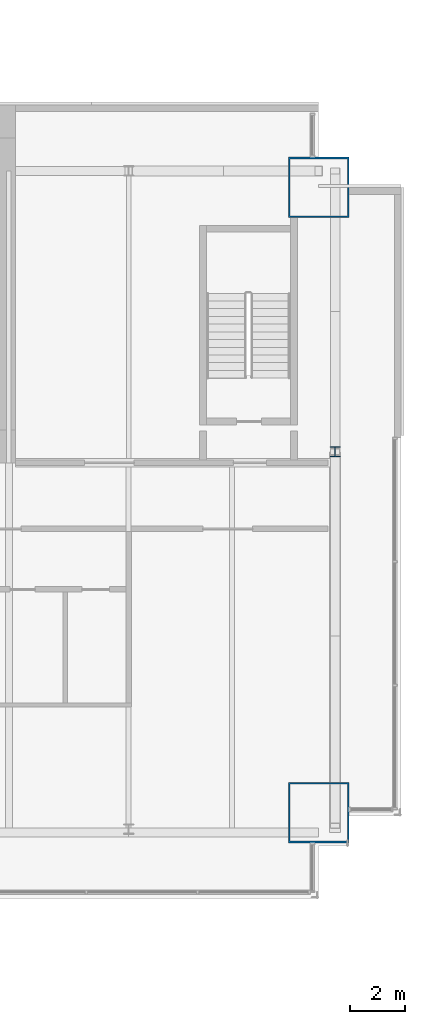
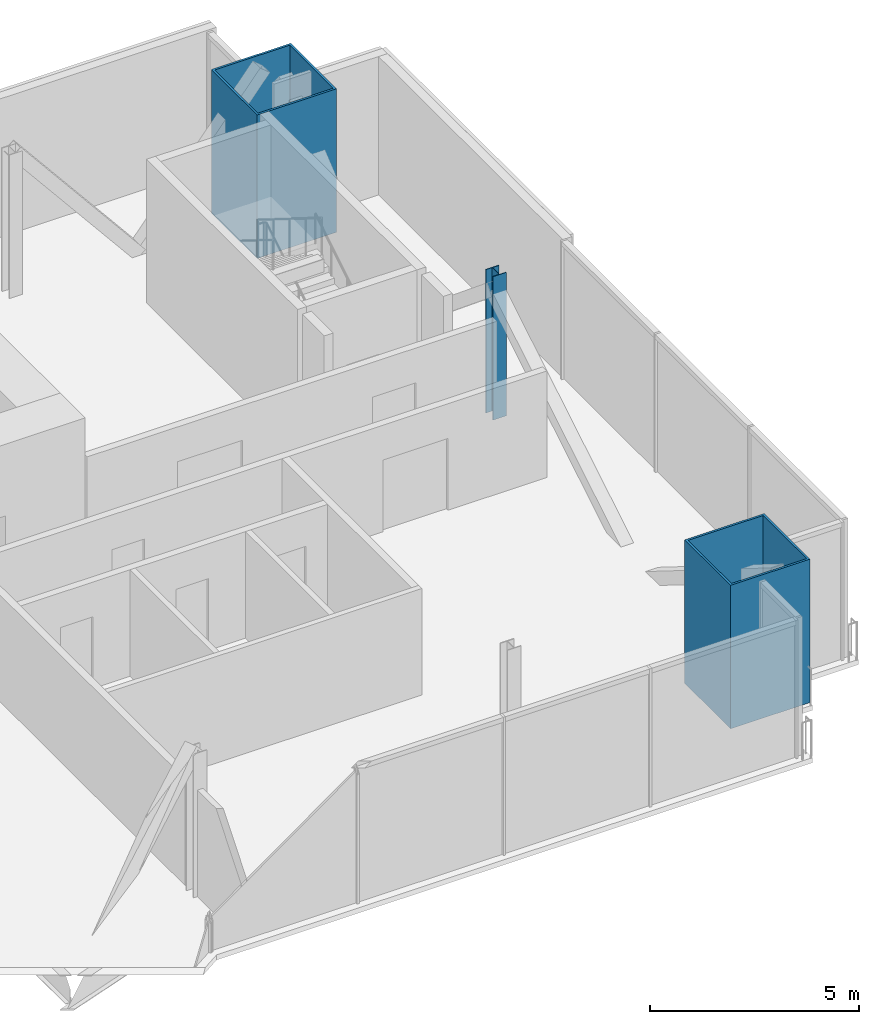
# One storey, part 4 of 19: 3 columns.
"""IFC4 building model written with IfcOpenShell, lengths in metres."""

from ifc_helpers import new_model, si_unit, direction, frame, origin, origin_2d, place, context, subcontext, project, spatial, hollow_rectangle, i_section, extrude, material, material_profile, profile_set, type_object, element, save


model = new_model("IFC4")

# Units and contexts
model_context = context("Model", 3, precision=1e-05, world=origin(), true_north=direction((0.0, 1.0)))
body_context = subcontext(model_context, "Body", "Model", "MODEL_VIEW")
ifc_project = project(units=[si_unit("LENGTHUNIT", "METRE"), si_unit("AREAUNIT", "SQUARE_METRE"), si_unit("VOLUMEUNIT", "CUBIC_METRE"), si_unit("PLANEANGLEUNIT", "RADIAN"), si_unit("MASSUNIT", "GRAM", prefix="KILO")], contexts=[model_context])

# Site, building, storey
site_placement = place(None, origin())
site = spatial("IfcSite", under=ifc_project, at=site_placement, CompositionType="ELEMENT")
building_placement = place(site_placement, origin())
building = spatial("IfcBuilding", under=site, at=building_placement, Name="Bicima Exchange Tower", CompositionType="ELEMENT")
storey_placement = place(building_placement, frame((0.0, 0.0, 266.60009765625)))
storey = spatial("IfcBuildingStorey", under=building, at=storey_placement, Name="L60", CompositionType="ELEMENT", Elevation=266.60009765625)

# Columns
ifc_material_1 = material(Name="Steel ASTM A572 Gr 50", Category="steel")
ifc_material_profile_1 = material_profile(ifc_material_1, hollow_rectangle(XDim=2.199951171875, YDim=2.199951171875, WallThickness=0.06005859375, at=origin_2d()))
ifc_profile_set_1 = profile_set([ifc_material_profile_1], Name="Steel ASTM A572 Gr 50")
column_type_1 = type_object("IfcColumnType", Name="Mega column BOX 2200x2200x60", PredefinedType="COLUMN", material=ifc_profile_set_1)
for number, where, z_axis, x_axis, name in (
    (1, (33.0, -25.701904296875, 0.0), (0.0, 0.0, 1.0), (1.0, 0.0, 0.0), "Mega column mega+33.0f"),
    (2, (33.0, -3.0, 0.0), (0.0, 0.0, 1.0), (1.0, 0.0, 0.0), "Mega column mega+33.0r"),
):
    element("IfcColumn", number, at=place(storey_placement, frame(where, z_axis=z_axis, x_axis=x_axis)), inside=storey, type_object=column_type_1, Name=name, PredefinedType="COLUMN", context=body_context, shape_type="SweptSolid", body=[
        extrude(hollow_rectangle(XDim=2.199951171875, YDim=2.199951171875, WallThickness=0.06005859375, at=origin_2d()), origin(), (0.0, 0.0, 1.0), 4.199951171875),
    ])
ifc_material_2 = material(Name="Steel ASTM A992 Gr 50", Category="steel")
ifc_material_profile_2 = material_profile(ifc_material_2, i_section(OverallWidth=0.370849609375, OverallDepth=0.36328125, WebThickness=0.013427734375, FlangeThickness=0.021728515625, at=origin_2d()))
ifc_profile_set_2 = profile_set([ifc_material_profile_2], Name="Steel ASTM A992 Gr 50")
column_type_2 = type_object("IfcColumnType", Name="Perimeter column W14x109", PredefinedType="COLUMN", material=ifc_profile_set_2)
column_placement = place(storey_placement, frame((33.60009765625, -12.60009765625, 0.0), z_axis=(0.0, 0.0, 1.0), x_axis=(1.0, 0.0, 0.0)))
element("IfcColumn", 3, at=column_placement, inside=storey, type_object=column_type_2, Name="End column end+33.6e", PredefinedType="COLUMN", context=body_context, shape_type="SweptSolid", body=[
    extrude(i_section(OverallWidth=0.370849609375, OverallDepth=0.36328125, WebThickness=0.013427734375, FlangeThickness=0.021728515625, at=origin_2d()), origin(), (0.0, 0.0, 1.0), 4.199951171875),
])

save(model, "model.ifc")
